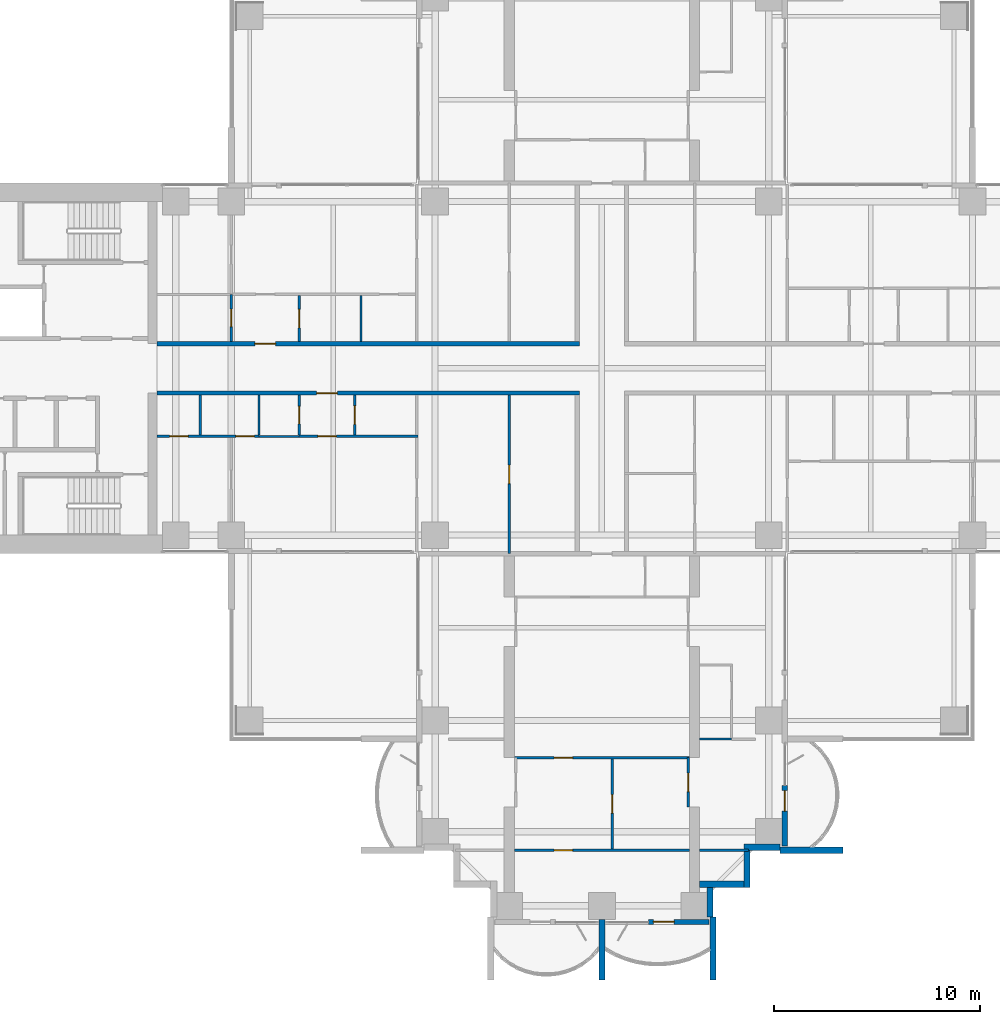
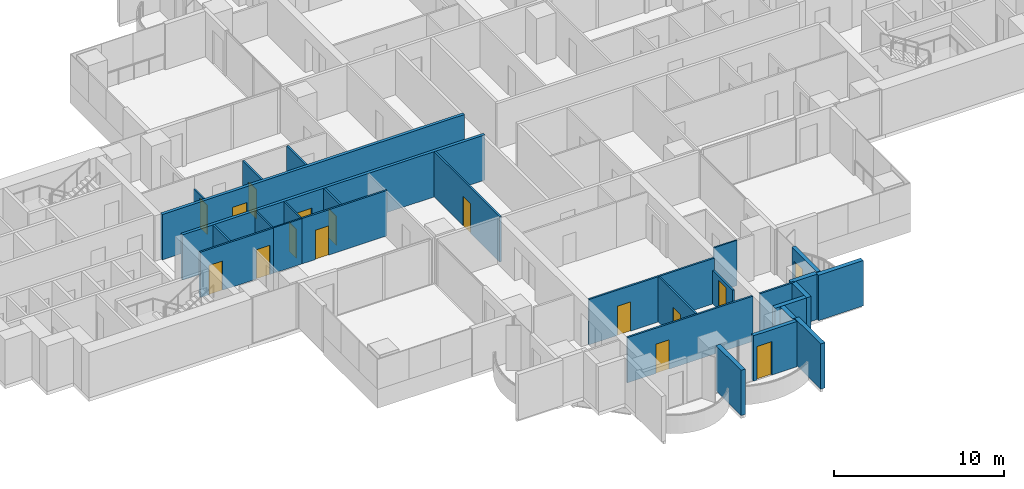
# One storey, part 11 of 20: 28 walls, 16 doors, 16 openings.
"""IFC4 building model written with IfcOpenShell, lengths in metres."""

from ifc_helpers import new_model, si_unit, direction, frame, frame_2d, origin, place, context, subcontext, project, spatial, rectangle, extrude, material, layer, layer_set, type_object, element, fill, save


model = new_model("IFC4")

# Units and contexts
model_context = context("Model", 3, precision=1e-05, world=origin(), true_north=direction((0.0, 1.0)))
body_context = subcontext(model_context, "Body", "Model", "MODEL_VIEW")
ifc_project = project(units=[si_unit("LENGTHUNIT", "METRE"), si_unit("AREAUNIT", "SQUARE_METRE"), si_unit("VOLUMEUNIT", "CUBIC_METRE"), si_unit("PLANEANGLEUNIT", "RADIAN"), si_unit("MASSUNIT", "GRAM", prefix="KILO")], contexts=[model_context])

# Site, building, storey
site_placement = place(None, origin())
site = spatial("IfcSite", under=ifc_project, at=site_placement, CompositionType="ELEMENT")
building_placement = place(site_placement, origin())
building = spatial("IfcBuilding", under=site, at=building_placement, Name="Perihelion Cross Residences", CompositionType="ELEMENT")
storey_placement = place(building_placement, frame((0.0, 0.0, 82.0)))
storey = spatial("IfcBuildingStorey", under=building, at=storey_placement, Name="L18", CompositionType="ELEMENT", Elevation=82.0)

# Wall, opening, door
ifc_material_1 = material(Name="Plasterboard partition")
ifc_layer_1 = layer(ifc_material_1, 0.199951171875)
ifc_layer_set_1 = layer_set([ifc_layer_1], Name="Apartment separation wall 200")
wall_type_1 = type_object("IfcWallType", Name="Apartment separation wall 200", PredefinedType="PARTITIONING", material=ifc_layer_set_1)
wall_1_placement = place(storey_placement, frame((-21.60009765625, 1.199951171875, 0.0), z_axis=(0.0, 0.0, 1.0), x_axis=(1.0, 0.0, 0.0)))
wall_1 = element("IfcWall", 1, at=wall_1_placement, inside=storey, type_object=wall_type_1, Name="Partition L18 W005", PredefinedType="PARTITIONING", context=body_context, shape_type="SweptSolid", body=[
    extrude(rectangle(XDim=20.5, YDim=0.199951171875, at=frame_2d((10.25, 0.0))), origin(), (0.0, 0.0, 1.0), 3.25),
])
opening_1_placement = place(wall_1_placement, frame((4.75, 0.0, 0.0)))
opening_1 = element("IfcOpeningElement", 2, at=opening_1_placement, cuts=wall_1, Name="Opening L18.A47", PredefinedType="OPENING", context=body_context, shape_type="SweptSolid", body=[
    extrude(rectangle(XDim=1.0, YDim=2.10009765625, at=frame_2d((0.5, 1.050048828125))), frame((0.0, 0.10986328125, 0.0), z_axis=(0.0, -1.0, 0.0), x_axis=(1.0, 0.0, 0.0)), (0.0, 0.0, 1.0), 0.219970703125),
])
ifc_material_2 = material(Name="Timber door leaf", Category="wood")
door_type_1 = type_object("IfcDoorType", Name="Flat entrance door 1000 x 2100", OperationType="SINGLE_SWING_LEFT", PredefinedType="DOOR", material=ifc_material_2)
door_1_placement = place(opening_1_placement, origin())
door_1 = element("IfcDoor", 3, at=door_1_placement, inside=storey, type_object=door_type_1, Name="Door L18.A47", OperationType="SINGLE_SWING_LEFT", OverallHeight=2.10009765625, OverallWidth=1.0, PredefinedType="DOOR", context=body_context, shape_type="SweptSolid", body=[
    extrude(rectangle(XDim=1.0, YDim=2.10009765625, at=frame_2d((0.5, 1.050048828125))), frame((0.0, 0.02490234375, 0.0), z_axis=(0.0, -1.0, 0.0), x_axis=(1.0, 0.0, 0.0)), (0.0, 0.0, 1.0), 0.050048828125),
])
fill(opening_1, door_1)

wall_2_placement = place(storey_placement, frame((-1.10009765625, -1.199951171875, 0.0), z_axis=(0.0, 0.0, 1.0), x_axis=(-1.0, 0.0, 0.0)))
wall_2 = element("IfcWall", 4, at=wall_2_placement, inside=storey, type_object=wall_type_1, Name="Partition L18 W007", PredefinedType="PARTITIONING", context=body_context, shape_type="SweptSolid", body=[
    extrude(rectangle(XDim=20.5, YDim=0.199951171875, at=frame_2d((10.25, 0.0))), origin(), (0.0, 0.0, 1.0), 3.25),
])
opening_2_placement = place(wall_2_placement, frame((11.75, 0.0, 0.0)))
opening_2 = element("IfcOpeningElement", 5, at=opening_2_placement, cuts=wall_2, Name="Opening L18.A48", PredefinedType="OPENING", context=body_context, shape_type="SweptSolid", body=[
    extrude(rectangle(XDim=1.0, YDim=2.10009765625, at=frame_2d((0.5, 1.050048828125))), frame((0.0, 0.10986328125, 0.0), z_axis=(0.0, -1.0, 0.0), x_axis=(1.0, 0.0, 0.0)), (0.0, 0.0, 1.0), 0.219970703125),
])
door_2_placement = place(opening_2_placement, origin())
door_2 = element("IfcDoor", 6, at=door_2_placement, inside=storey, type_object=door_type_1, Name="Door L18.A48", OperationType="SINGLE_SWING_RIGHT", OverallHeight=2.10009765625, OverallWidth=1.0, PredefinedType="DOOR", context=body_context, shape_type="SweptSolid", body=[
    extrude(rectangle(XDim=1.0, YDim=2.10009765625, at=frame_2d((0.5, 1.050048828125))), frame((0.0, 0.02490234375, 0.0), z_axis=(0.0, -1.0, 0.0), x_axis=(1.0, 0.0, 0.0)), (0.0, 0.0, 1.0), 0.050048828125),
])
fill(opening_2, door_2)

ifc_material_3 = material(Name="Concrete C30/37, bronze-clad", Category="concrete")
ifc_layer_2 = layer(ifc_material_3, 0.25)
ifc_layer_set_2 = layer_set([ifc_layer_2], Name="Bronze-clad pier wall 250")
wall_type_2 = type_object("IfcWallType", Name="Bronze-clad pier wall 250", PredefinedType="SOLIDWALL", material=ifc_layer_set_2)
wall_3_placement = place(storey_placement, frame((2.25, -26.875, 0.0), z_axis=(0.0, 0.0, 1.0), x_axis=(1.0, 0.0, 0.0)))
wall_3 = element("IfcWall", 7, at=wall_3_placement, inside=storey, type_object=wall_type_2, Name="Wall FW1 L18 south tip south bay 2 pier", PredefinedType="SOLIDWALL", context=body_context, shape_type="SweptSolid", body=[
    extrude(rectangle(XDim=2.949951171875, YDim=0.25, at=frame_2d((1.47509765625, 0.0))), origin(), (0.0, 0.0, 1.0), 3.25),
])
opening_3_placement = place(wall_3_placement, frame((0.25, 0.0, 0.0)))
opening_3 = element("IfcOpeningElement", 8, at=opening_3_placement, cuts=wall_3, Name="Opening L18.E13", PredefinedType="OPENING", context=body_context, shape_type="SweptSolid", body=[
    extrude(rectangle(XDim=1.0, YDim=2.39990234375, at=frame_2d((0.5, 1.199951171875))), frame((0.0, 0.135009765625, 0.0), z_axis=(0.0, -1.0, 0.0), x_axis=(1.0, 0.0, 0.0)), (0.0, 0.0, 1.0), 0.27001953125),
])
ifc_material_4 = material(Name="Bronze anodised aluminium, glazed", Category="aluminium")
door_type_2 = type_object("IfcDoorType", Name="Balcony door 1000 x 2400", OperationType="NOTDEFINED", PredefinedType="DOOR", material=ifc_material_4)
door_3_placement = place(opening_3_placement, origin())
door_3 = element("IfcDoor", 9, at=door_3_placement, inside=storey, type_object=door_type_2, Name="Door L18.E13 south tip south bay 2", OperationType="SINGLE_SWING_RIGHT", OverallHeight=2.39990234375, OverallWidth=1.0, PredefinedType="DOOR", context=body_context, shape_type="SweptSolid", body=[
    extrude(rectangle(XDim=1.0, YDim=2.39990234375, at=frame_2d((0.5, 1.199951171875))), frame((0.0, 0.02490234375, 0.0), z_axis=(0.0, -1.0, 0.0), x_axis=(1.0, 0.0, 0.0)), (0.0, 0.0, 1.0), 0.050048828125),
])
fill(opening_3, door_3)

wall_4_placement = place(storey_placement, frame((8.875, -23.199951171875, 0.0), z_axis=(0.0, 0.0, 1.0), x_axis=(0.0, 1.0, 0.0)))
wall_4 = element("IfcWall", 10, at=wall_4_placement, inside=storey, type_object=wall_type_2, Name="Wall FW1 L18 south side east bay 1 pier", PredefinedType="SOLIDWALL", context=body_context, shape_type="SweptSolid", body=[
    extrude(rectangle(XDim=2.949951171875, YDim=0.25, at=frame_2d((1.47509765625, 0.0))), origin(), (0.0, 0.0, 1.0), 3.25),
])
opening_4_placement = place(wall_4_placement, frame((1.699951171875, 0.0, 0.0)))
opening_4 = element("IfcOpeningElement", 11, at=opening_4_placement, cuts=wall_4, Name="Opening L18.E14", PredefinedType="OPENING", context=body_context, shape_type="SweptSolid", body=[
    extrude(rectangle(XDim=1.0, YDim=2.39990234375, at=frame_2d((0.5, 1.199951171875))), frame((0.0, 0.135009765625, 0.0), z_axis=(0.0, -1.0, 0.0), x_axis=(1.0, 0.0, 0.0)), (0.0, 0.0, 1.0), 0.27001953125),
])
door_4_placement = place(opening_4_placement, origin())
door_4 = element("IfcDoor", 12, at=door_4_placement, inside=storey, type_object=door_type_2, Name="Door L18.E14 south side east bay 1", OperationType="SINGLE_SWING_LEFT", OverallHeight=2.39990234375, OverallWidth=1.0, PredefinedType="DOOR", context=body_context, shape_type="SweptSolid", body=[
    extrude(rectangle(XDim=1.0, YDim=2.39990234375, at=frame_2d((0.5, 1.199951171875))), frame((0.0, 0.02490234375, 0.0), z_axis=(0.0, -1.0, 0.0), x_axis=(1.0, 0.0, 0.0)), (0.0, 0.0, 1.0), 0.050048828125),
])
fill(opening_4, door_4)

# Walls
ifc_material_5 = material(Name="Concrete C30/37, bronze-clad", Category="concrete")
ifc_layer_3 = layer(ifc_material_5, 0.300048828125)
ifc_layer_set_3 = layer_set([ifc_layer_3], Name="Bronze-clad serration wall 300")
wall_type_3 = type_object("IfcWallType", Name="Bronze-clad serration wall 300", PredefinedType="SOLIDWALL", material=ifc_layer_set_3)
wall_5_placement = place(storey_placement, frame((5.25, -26.64990234375, 0.0), z_axis=(0.0, 0.0, 1.0), x_axis=(0.0, 1.0, 0.0)))
element("IfcWall", 13, at=wall_5_placement, inside=storey, type_object=wall_type_3, Name="Wall SR1 L18 south corner south-east 1", PredefinedType="SOLIDWALL", context=body_context, shape_type="SweptSolid", body=[
    extrude(rectangle(XDim=1.449951171875, YDim=0.300048828125, at=frame_2d((0.72509765625, 0.0))), origin(), (0.0, 0.0, 1.0), 3.25),
])
wall_6_placement = place(storey_placement, frame((4.75, -25.050048828125, 0.0), z_axis=(0.0, 0.0, 1.0), x_axis=(1.0, 0.0, 0.0)))
element("IfcWall", 14, at=wall_6_placement, inside=storey, type_object=wall_type_3, Name="Wall SR1 L18 south corner south-east 2", PredefinedType="SOLIDWALL", context=body_context, shape_type="SweptSolid", body=[
    extrude(rectangle(XDim=2.14990234375, YDim=0.300048828125, at=frame_2d((1.074951171875, 0.0))), origin(), (0.0, 0.0, 1.0), 3.25),
])
wall_7_placement = place(storey_placement, frame((7.050048828125, -25.199951171875, 0.0), z_axis=(0.0, 0.0, 1.0), x_axis=(0.0, 1.0, 0.0)))
element("IfcWall", 15, at=wall_7_placement, inside=storey, type_object=wall_type_3, Name="Wall SR1 L18 south corner south-east 3", PredefinedType="SOLIDWALL", context=body_context, shape_type="SweptSolid", body=[
    extrude(rectangle(XDim=1.800048828125, YDim=0.300048828125, at=frame_2d((0.89990234375, 0.0))), origin(), (0.0, 0.0, 1.0), 3.25),
])
wall_8_placement = place(storey_placement, frame((6.89990234375, -23.25, 0.0), z_axis=(0.0, 0.0, 1.0), x_axis=(1.0, 0.0, 0.0)))
element("IfcWall", 16, at=wall_8_placement, inside=storey, type_object=wall_type_3, Name="Wall SR1 L18 south corner south-east 4", PredefinedType="SOLIDWALL", context=body_context, shape_type="SweptSolid", body=[
    extrude(rectangle(XDim=1.75, YDim=0.300048828125, at=frame_2d((0.875, 0.0))), origin(), (0.0, 0.0, 1.0), 3.25),
])

# Wall, opening, door
ifc_material_6 = material(Name="Plasterboard partition")
ifc_layer_4 = layer(ifc_material_6, 0.1201171875)
ifc_layer_set_4 = layer_set([ifc_layer_4], Name="Infill panel 120")
wall_type_4 = type_object("IfcWallType", Name="Infill panel 120", PredefinedType="PARTITIONING", material=ifc_layer_set_4)
wall_9_placement = place(storey_placement, frame((4.18994140625, -18.89990234375, 0.0), z_axis=(0.0, 0.0, 1.0), x_axis=(0.0, -1.0, 0.0)))
wall_9 = element("IfcWall", 17, at=wall_9_placement, inside=storey, type_object=wall_type_4, Name="Partition L18 WI06", PredefinedType="PARTITIONING", context=body_context, shape_type="SweptSolid", body=[
    extrude(rectangle(XDim=2.400146484375, YDim=0.1201171875, at=frame_2d((1.2001953125, 0.0))), origin(), (0.0, 0.0, 1.0), 2.39990234375),
])
opening_5_placement = place(wall_9_placement, frame((0.75, 0.0, 0.0)))
opening_5 = element("IfcOpeningElement", 18, at=opening_5_placement, cuts=wall_9, Name="Opening L18.A54", PredefinedType="OPENING", context=body_context, shape_type="SweptSolid", body=[
    extrude(rectangle(XDim=0.89990234375, YDim=2.10009765625, at=frame_2d((0.449951171875, 1.050048828125))), frame((0.0, 0.070068359375, 0.0), z_axis=(0.0, -1.0, 0.0), x_axis=(1.0, 0.0, 0.0)), (0.0, 0.0, 1.0), 0.14013671875),
])
ifc_material_7 = material(Name="Timber door leaf", Category="wood")
door_type_3 = type_object("IfcDoorType", Name="Interior room door 900 x 2100", OperationType="SINGLE_SWING_LEFT", PredefinedType="DOOR", material=ifc_material_7)
door_5_placement = place(opening_5_placement, origin())
door_5 = element("IfcDoor", 19, at=door_5_placement, inside=storey, type_object=door_type_3, Name="Door L18.A54", OperationType="SINGLE_SWING_LEFT", OverallHeight=2.10009765625, OverallWidth=0.89990234375, PredefinedType="DOOR", context=body_context, shape_type="SweptSolid", body=[
    extrude(rectangle(XDim=0.89990234375, YDim=2.10009765625, at=frame_2d((0.449951171875, 1.050048828125))), frame((0.0, 0.02490234375, 0.0), z_axis=(0.0, -1.0, 0.0), x_axis=(1.0, 0.0, 0.0)), (0.0, 0.0, 1.0), 0.050048828125),
])
fill(opening_5, door_5)

# Wall
ifc_material_8 = material(Name="Plasterboard partition")
ifc_layer_5 = layer(ifc_material_8, 0.1201171875)
ifc_layer_set_5 = layer_set([ifc_layer_5], Name="Partition wall 120")
wall_type_5 = type_object("IfcWallType", Name="Partition wall 120", PredefinedType="PARTITIONING", material=ifc_layer_set_5)
wall_10_placement = place(storey_placement, frame((-11.699951171875, 1.300048828125, 0.0), z_axis=(0.0, 0.0, 1.0), x_axis=(0.0, 1.0, 0.0)))
element("IfcWall", 20, at=wall_10_placement, inside=storey, type_object=wall_type_5, Name="Partition L18 W030", PredefinedType="PARTITIONING", context=body_context, shape_type="SweptSolid", body=[
    extrude(rectangle(XDim=2.239990234375, YDim=0.1201171875, at=frame_2d((1.1201171875, 0.0))), origin(), (0.0, 0.0, 1.0), 3.25),
])

# Wall, opening, door
wall_11_placement = place(storey_placement, frame((-14.699951171875, 1.300048828125, 0.0), z_axis=(0.0, 0.0, 1.0), x_axis=(0.0, 1.0, 0.0)))
wall_11 = element("IfcWall", 21, at=wall_11_placement, inside=storey, type_object=wall_type_5, Name="Partition L18 W033", PredefinedType="PARTITIONING", context=body_context, shape_type="SweptSolid", body=[
    extrude(rectangle(XDim=2.239990234375, YDim=0.1201171875, at=frame_2d((1.1201171875, 0.0))), origin(), (0.0, 0.0, 1.0), 3.25),
])
opening_6_placement = place(wall_11_placement, frame((0.669921875, 0.0, 0.0)))
opening_6 = element("IfcOpeningElement", 22, at=opening_6_placement, cuts=wall_11, Name="Opening L18.A17", PredefinedType="OPENING", context=body_context, shape_type="SweptSolid", body=[
    extrude(rectangle(XDim=0.89990234375, YDim=2.10009765625, at=frame_2d((0.449951171875, 1.050048828125))), frame((0.0, 0.070068359375, 0.0), z_axis=(0.0, -1.0, 0.0), x_axis=(1.0, 0.0, 0.0)), (0.0, 0.0, 1.0), 0.14013671875),
])
door_6_placement = place(opening_6_placement, origin())
door_6 = element("IfcDoor", 23, at=door_6_placement, inside=storey, type_object=door_type_3, Name="Door L18.A17", OperationType="SINGLE_SWING_LEFT", OverallHeight=2.10009765625, OverallWidth=0.89990234375, PredefinedType="DOOR", context=body_context, shape_type="SweptSolid", body=[
    extrude(rectangle(XDim=0.89990234375, YDim=2.10009765625, at=frame_2d((0.449951171875, 1.050048828125))), frame((0.0, 0.02490234375, 0.0), z_axis=(0.0, -1.0, 0.0), x_axis=(1.0, 0.0, 0.0)), (0.0, 0.0, 1.0), 0.050048828125),
])
fill(opening_6, door_6)

wall_12_placement = place(storey_placement, frame((-12.0, -3.239990234375, 0.0), z_axis=(0.0, 0.0, 1.0), x_axis=(0.0, 1.0, 0.0)))
wall_12 = element("IfcWall", 24, at=wall_12_placement, inside=storey, type_object=wall_type_5, Name="Partition L18 W038", PredefinedType="PARTITIONING", context=body_context, shape_type="SweptSolid", body=[
    extrude(rectangle(XDim=1.93994140625, YDim=0.1201171875, at=frame_2d((0.969970703125, 0.0))), origin(), (0.0, 0.0, 1.0), 3.25),
])
opening_7_placement = place(wall_12_placement, frame((0.52001953125, 0.0, 0.0)))
opening_7 = element("IfcOpeningElement", 25, at=opening_7_placement, cuts=wall_12, Name="Opening L18.A24", PredefinedType="OPENING", context=body_context, shape_type="SweptSolid", body=[
    extrude(rectangle(XDim=0.89990234375, YDim=2.10009765625, at=frame_2d((0.449951171875, 1.050048828125))), frame((0.0, 0.070068359375, 0.0), z_axis=(0.0, -1.0, 0.0), x_axis=(1.0, 0.0, 0.0)), (0.0, 0.0, 1.0), 0.14013671875),
])
door_7_placement = place(opening_7_placement, origin())
door_7 = element("IfcDoor", 26, at=door_7_placement, inside=storey, type_object=door_type_3, Name="Door L18.A24", OperationType="SINGLE_SWING_RIGHT", OverallHeight=2.10009765625, OverallWidth=0.89990234375, PredefinedType="DOOR", context=body_context, shape_type="SweptSolid", body=[
    extrude(rectangle(XDim=0.89990234375, YDim=2.10009765625, at=frame_2d((0.449951171875, 1.050048828125))), frame((0.0, 0.02490234375, 0.0), z_axis=(0.0, -1.0, 0.0), x_axis=(1.0, 0.0, 0.0)), (0.0, 0.0, 1.0), 0.050048828125),
])
fill(opening_7, door_7)

wall_13_placement = place(storey_placement, frame((-8.93994140625, -3.300048828125, 0.0), z_axis=(0.0, 0.0, 1.0), x_axis=(-1.0, 0.0, 0.0)))
wall_13 = element("IfcWall", 27, at=wall_13_placement, inside=storey, type_object=wall_type_5, Name="Partition L18 W039", PredefinedType="PARTITIONING", context=body_context, shape_type="SweptSolid", body=[
    extrude(rectangle(XDim=5.760009765625, YDim=0.1201171875, at=frame_2d((2.8798828125, 0.0))), origin(), (0.0, 0.0, 1.0), 3.25),
])
opening_8_placement = place(wall_13_placement, frame((3.9599609375, 0.0, 0.0)))
opening_8 = element("IfcOpeningElement", 28, at=opening_8_placement, cuts=wall_13, Name="Opening L18.A26", PredefinedType="OPENING", context=body_context, shape_type="SweptSolid", body=[
    extrude(rectangle(XDim=0.89990234375, YDim=2.10009765625, at=frame_2d((0.449951171875, 1.050048828125))), frame((0.0, 0.070068359375, 0.0), z_axis=(0.0, -1.0, 0.0), x_axis=(1.0, 0.0, 0.0)), (0.0, 0.0, 1.0), 0.14013671875),
])
door_8_placement = place(opening_8_placement, origin())
door_8 = element("IfcDoor", 29, at=door_8_placement, inside=storey, type_object=door_type_3, Name="Door L18.A26", OperationType="SINGLE_SWING_RIGHT", OverallHeight=2.10009765625, OverallWidth=0.89990234375, PredefinedType="DOOR", context=body_context, shape_type="SweptSolid", body=[
    extrude(rectangle(XDim=0.89990234375, YDim=2.10009765625, at=frame_2d((0.449951171875, 1.050048828125))), frame((0.0, 0.02490234375, 0.0), z_axis=(0.0, -1.0, 0.0), x_axis=(1.0, 0.0, 0.0)), (0.0, 0.0, 1.0), 0.050048828125),
])
fill(opening_8, door_8)

# Wall
wall_14_placement = place(storey_placement, frame((-19.5, -3.239990234375, 0.0), z_axis=(0.0, 0.0, 1.0), x_axis=(0.0, 1.0, 0.0)))
element("IfcWall", 30, at=wall_14_placement, inside=storey, type_object=wall_type_5, Name="Partition L18 W044", PredefinedType="PARTITIONING", context=body_context, shape_type="SweptSolid", body=[
    extrude(rectangle(XDim=1.93994140625, YDim=0.1201171875, at=frame_2d((0.969970703125, 0.0))), origin(), (0.0, 0.0, 1.0), 3.25),
])

# Wall, openings, doors
wall_15_placement = place(storey_placement, frame((-16.64990234375, -3.300048828125, 0.0), z_axis=(0.0, 0.0, 1.0), x_axis=(-1.0, 0.0, 0.0)))
wall_15 = element("IfcWall", 31, at=wall_15_placement, inside=storey, type_object=wall_type_5, Name="Partition L18 W045", PredefinedType="PARTITIONING", context=body_context, shape_type="SweptSolid", body=[
    extrude(rectangle(XDim=4.9501953125, YDim=0.1201171875, at=frame_2d((2.47509765625, 0.0))), origin(), (0.0, 0.0, 1.0), 3.25),
])
opening_9_placement = place(wall_15_placement, frame((0.22509765625, 0.0, 0.0)))
opening_9 = element("IfcOpeningElement", 32, at=opening_9_placement, cuts=wall_15, Name="Opening L18.A25", PredefinedType="OPENING", context=body_context, shape_type="SweptSolid", body=[
    extrude(rectangle(XDim=0.89990234375, YDim=2.10009765625, at=frame_2d((0.449951171875, 1.050048828125))), frame((0.0, 0.070068359375, 0.0), z_axis=(0.0, -1.0, 0.0), x_axis=(1.0, 0.0, 0.0)), (0.0, 0.0, 1.0), 0.14013671875),
])
opening_10_placement = place(wall_15_placement, frame((3.449951171875, 0.0, 0.0)))
opening_10 = element("IfcOpeningElement", 33, at=opening_10_placement, cuts=wall_15, Name="Opening L18.A28", PredefinedType="OPENING", context=body_context, shape_type="SweptSolid", body=[
    extrude(rectangle(XDim=0.89990234375, YDim=2.10009765625, at=frame_2d((0.449951171875, 1.050048828125))), frame((0.0, 0.070068359375, 0.0), z_axis=(0.0, -1.0, 0.0), x_axis=(1.0, 0.0, 0.0)), (0.0, 0.0, 1.0), 0.14013671875),
])
door_9_placement = place(opening_9_placement, origin())
door_9 = element("IfcDoor", 34, at=door_9_placement, inside=storey, type_object=door_type_3, Name="Door L18.A25", OperationType="SINGLE_SWING_RIGHT", OverallHeight=2.10009765625, OverallWidth=0.89990234375, PredefinedType="DOOR", context=body_context, shape_type="SweptSolid", body=[
    extrude(rectangle(XDim=0.89990234375, YDim=2.10009765625, at=frame_2d((0.449951171875, 1.050048828125))), frame((0.0, 0.02490234375, 0.0), z_axis=(0.0, -1.0, 0.0), x_axis=(1.0, 0.0, 0.0)), (0.0, 0.0, 1.0), 0.050048828125),
])
fill(opening_9, door_9)
door_10_placement = place(opening_10_placement, origin())
door_10 = element("IfcDoor", 35, at=door_10_placement, inside=storey, type_object=door_type_3, Name="Door L18.A28", OperationType="SINGLE_SWING_LEFT", OverallHeight=2.10009765625, OverallWidth=0.89990234375, PredefinedType="DOOR", context=body_context, shape_type="SweptSolid", body=[
    extrude(rectangle(XDim=0.89990234375, YDim=2.10009765625, at=frame_2d((0.449951171875, 1.050048828125))), frame((0.0, 0.02490234375, 0.0), z_axis=(0.0, -1.0, 0.0), x_axis=(1.0, 0.0, 0.0)), (0.0, 0.0, 1.0), 0.050048828125),
])
fill(opening_10, door_10)

# Wall, opening, door
wall_16_placement = place(storey_placement, frame((-4.5, -1.300048828125, 0.0), z_axis=(0.0, 0.0, 1.0), x_axis=(0.0, -1.0, 0.0)))
wall_16 = element("IfcWall", 36, at=wall_16_placement, inside=storey, type_object=wall_type_5, Name="Partition L18 W047", PredefinedType="PARTITIONING", context=body_context, shape_type="SweptSolid", body=[
    extrude(rectangle(XDim=7.699951171875, YDim=0.1201171875, at=frame_2d((3.85009765625, 0.0))), origin(), (0.0, 0.0, 1.0), 3.25),
])
opening_11_placement = place(wall_16_placement, frame((3.39990234375, 0.0, 0.0)))
opening_11 = element("IfcOpeningElement", 37, at=opening_11_placement, cuts=wall_16, Name="Opening L18.A23", PredefinedType="OPENING", context=body_context, shape_type="SweptSolid", body=[
    extrude(rectangle(XDim=0.89990234375, YDim=2.10009765625, at=frame_2d((0.449951171875, 1.050048828125))), frame((0.0, 0.070068359375, 0.0), z_axis=(0.0, -1.0, 0.0), x_axis=(1.0, 0.0, 0.0)), (0.0, 0.0, 1.0), 0.14013671875),
])
door_11_placement = place(opening_11_placement, origin())
door_11 = element("IfcDoor", 38, at=door_11_placement, inside=storey, type_object=door_type_3, Name="Door L18.A23", OperationType="SINGLE_SWING_RIGHT", OverallHeight=2.10009765625, OverallWidth=0.89990234375, PredefinedType="DOOR", context=body_context, shape_type="SweptSolid", body=[
    extrude(rectangle(XDim=0.89990234375, YDim=2.10009765625, at=frame_2d((0.449951171875, 1.050048828125))), frame((0.0, 0.02490234375, 0.0), z_axis=(0.0, -1.0, 0.0), x_axis=(1.0, 0.0, 0.0)), (0.0, 0.0, 1.0), 0.050048828125),
])
fill(opening_11, door_11)

wall_17_placement = place(storey_placement, frame((4.25, -18.89990234375, 0.0), z_axis=(0.0, 0.0, 1.0), x_axis=(-1.0, 0.0, 0.0)))
wall_17 = element("IfcWall", 39, at=wall_17_placement, inside=storey, type_object=wall_type_5, Name="Partition L18 W064", PredefinedType="PARTITIONING", context=body_context, shape_type="SweptSolid", body=[
    extrude(rectangle(XDim=8.5, YDim=0.1201171875, at=frame_2d((4.25, 0.0))), origin(), (0.0, 0.0, 1.0), 3.25),
])
opening_12_placement = place(wall_17_placement, frame((5.675048828125, 0.0, 0.0)))
opening_12 = element("IfcOpeningElement", 40, at=opening_12_placement, cuts=wall_17, Name="Opening L18.A41", PredefinedType="OPENING", context=body_context, shape_type="SweptSolid", body=[
    extrude(rectangle(XDim=0.89990234375, YDim=2.10009765625, at=frame_2d((0.449951171875, 1.050048828125))), frame((0.0, 0.070068359375, 0.0), z_axis=(0.0, -1.0, 0.0), x_axis=(1.0, 0.0, 0.0)), (0.0, 0.0, 1.0), 0.14013671875),
])
door_12_placement = place(opening_12_placement, origin())
door_12 = element("IfcDoor", 41, at=door_12_placement, inside=storey, type_object=door_type_3, Name="Door L18.A41", OperationType="SINGLE_SWING_RIGHT", OverallHeight=2.10009765625, OverallWidth=0.89990234375, PredefinedType="DOOR", context=body_context, shape_type="SweptSolid", body=[
    extrude(rectangle(XDim=0.89990234375, YDim=2.10009765625, at=frame_2d((0.449951171875, 1.050048828125))), frame((0.0, 0.02490234375, 0.0), z_axis=(0.0, -1.0, 0.0), x_axis=(1.0, 0.0, 0.0)), (0.0, 0.0, 1.0), 0.050048828125),
])
fill(opening_12, door_12)

wall_18_placement = place(storey_placement, frame((0.5, -18.9599609375, 0.0), z_axis=(0.0, 0.0, 1.0), x_axis=(0.0, -1.0, 0.0)))
wall_18 = element("IfcWall", 42, at=wall_18_placement, inside=storey, type_object=wall_type_5, Name="Partition L18 W065", PredefinedType="PARTITIONING", context=body_context, shape_type="SweptSolid", body=[
    extrude(rectangle(XDim=4.380126953125, YDim=0.1201171875, at=frame_2d((2.18994140625, 0.0))), origin(), (0.0, 0.0, 1.0), 3.25),
])
opening_13_placement = place(wall_18_placement, frame((1.739990234375, 0.0, 0.0)))
opening_13 = element("IfcOpeningElement", 43, at=opening_13_placement, cuts=wall_18, Name="Opening L18.A42", PredefinedType="OPENING", context=body_context, shape_type="SweptSolid", body=[
    extrude(rectangle(XDim=0.89990234375, YDim=2.10009765625, at=frame_2d((0.449951171875, 1.050048828125))), frame((0.0, 0.070068359375, 0.0), z_axis=(0.0, -1.0, 0.0), x_axis=(1.0, 0.0, 0.0)), (0.0, 0.0, 1.0), 0.14013671875),
])
door_13_placement = place(opening_13_placement, origin())
door_13 = element("IfcDoor", 44, at=door_13_placement, inside=storey, type_object=door_type_3, Name="Door L18.A42", OperationType="SINGLE_SWING_RIGHT", OverallHeight=2.10009765625, OverallWidth=0.89990234375, PredefinedType="DOOR", context=body_context, shape_type="SweptSolid", body=[
    extrude(rectangle(XDim=0.89990234375, YDim=2.10009765625, at=frame_2d((0.449951171875, 1.050048828125))), frame((0.0, 0.02490234375, 0.0), z_axis=(0.0, -1.0, 0.0), x_axis=(1.0, 0.0, 0.0)), (0.0, 0.0, 1.0), 0.050048828125),
])
fill(opening_13, door_13)

wall_19_placement = place(storey_placement, frame((4.25, -23.39990234375, 0.0), z_axis=(0.0, 0.0, 1.0), x_axis=(-1.0, 0.0, 0.0)))
wall_19 = element("IfcWall", 45, at=wall_19_placement, inside=storey, type_object=wall_type_5, Name="Partition L18 W066", PredefinedType="PARTITIONING", context=body_context, shape_type="SweptSolid", body=[
    extrude(rectangle(XDim=8.5, YDim=0.1201171875, at=frame_2d((4.25, 0.0))), origin(), (0.0, 0.0, 1.0), 3.25),
])
opening_14_placement = place(wall_19_placement, frame((5.675048828125, 0.0, 0.0)))
opening_14 = element("IfcOpeningElement", 46, at=opening_14_placement, cuts=wall_19, Name="Opening L18.A43", PredefinedType="OPENING", context=body_context, shape_type="SweptSolid", body=[
    extrude(rectangle(XDim=0.89990234375, YDim=2.10009765625, at=frame_2d((0.449951171875, 1.050048828125))), frame((0.0, 0.070068359375, 0.0), z_axis=(0.0, -1.0, 0.0), x_axis=(1.0, 0.0, 0.0)), (0.0, 0.0, 1.0), 0.14013671875),
])
door_14_placement = place(opening_14_placement, origin())
door_14 = element("IfcDoor", 47, at=door_14_placement, inside=storey, type_object=door_type_3, Name="Door L18.A43", OperationType="SINGLE_SWING_LEFT", OverallHeight=2.10009765625, OverallWidth=0.89990234375, PredefinedType="DOOR", context=body_context, shape_type="SweptSolid", body=[
    extrude(rectangle(XDim=0.89990234375, YDim=2.10009765625, at=frame_2d((0.449951171875, 1.050048828125))), frame((0.0, 0.02490234375, 0.0), z_axis=(0.0, -1.0, 0.0), x_axis=(1.0, 0.0, 0.0)), (0.0, 0.0, 1.0), 0.050048828125),
])
fill(opening_14, door_14)

# Walls
wall_20_placement = place(storey_placement, frame((7.1201171875, -23.39990234375, 0.0), z_axis=(0.0, 0.0, 1.0), x_axis=(-1.0, 0.0, 0.0)))
element("IfcWall", 48, at=wall_20_placement, inside=storey, type_object=wall_type_5, Name="Partition L18 W071", PredefinedType="PARTITIONING", context=body_context, shape_type="SweptSolid", body=[
    extrude(rectangle(XDim=2.3701171875, YDim=0.1201171875, at=frame_2d((1.18505859375, 0.0))), origin(), (0.0, 0.0, 1.0), 3.25),
])
ifc_material_9 = material(Name="Precast concrete C50/60", Category="concrete")
ifc_layer_6 = layer(ifc_material_9, 0.300048828125)
ifc_layer_set_6 = layer_set([ifc_layer_6], Name="Precast concrete C50/60 blade wall 300")
wall_type_6 = type_object("IfcWallType", Name="Precast concrete C50/60 blade wall 300", PredefinedType="SOLIDWALL", material=ifc_layer_set_6)
wall_21_placement = place(storey_placement, frame((0.0, -26.75, 0.0), z_axis=(0.0, 0.0, 1.0), x_axis=(0.0, -1.0, 0.0)))
element("IfcWall", 49, at=wall_21_placement, inside=storey, type_object=wall_type_6, Name="Wall BL1 L18 no. 9", PredefinedType="SOLIDWALL", context=body_context, shape_type="SweptSolid", body=[
    extrude(rectangle(XDim=2.949951171875, YDim=0.300048828125, at=frame_2d((1.47509765625, 0.0))), origin(), (0.0, 0.0, 1.0), 3.25),
])
for number, where, z_axis, x_axis, name in (
    (50, (5.39990234375, -26.64990234375, 0.0), (0.0, 0.0, 1.0), (0.0, -1.0, 0.0), "Wall BL1 L18 no. 13"),
    (51, (8.64990234375, -23.39990234375, 0.0), (0.0, 0.0, 1.0), (1.0, 0.0, 0.0), "Wall BL1 L18 no. 16"),
):
    element("IfcWall", number, at=place(storey_placement, frame(where, z_axis=z_axis, x_axis=x_axis)), inside=storey, type_object=wall_type_6, Name=name, PredefinedType="SOLIDWALL", context=body_context, shape_type="SweptSolid", body=[
        extrude(rectangle(XDim=3.050048828125, YDim=0.300048828125, at=frame_2d((1.52490234375, 0.0))), origin(), (0.0, 0.0, 1.0), 3.25),
    ])

# Wall, opening, door
ifc_material_10 = material(Name="Plasterboard partition")
ifc_layer_7 = layer(ifc_material_10, 0.10009765625)
ifc_layer_set_7 = layer_set([ifc_layer_7], Name="Wet room wall 100")
wall_type_7 = type_object("IfcWallType", Name="Wet room wall 100", PredefinedType="PARTITIONING", material=ifc_layer_set_7)
wall_22_placement = place(storey_placement, frame((-18.0, 1.300048828125, 0.0), z_axis=(0.0, 0.0, 1.0), x_axis=(0.0, 1.0, 0.0)))
wall_22 = element("IfcWall", 52, at=wall_22_placement, inside=storey, type_object=wall_type_7, Name="Partition L18 W034", PredefinedType="PARTITIONING", context=body_context, shape_type="SweptSolid", body=[
    extrude(rectangle(XDim=2.300048828125, YDim=0.10009765625, at=frame_2d((1.14990234375, 0.0))), origin(), (0.0, 0.0, 1.0), 2.345947265625),
])
opening_15_placement = place(wall_22_placement, frame((0.72509765625, 0.0, 0.0)))
opening_15 = element("IfcOpeningElement", 53, at=opening_15_placement, cuts=wall_22, Name="Opening L18.A16", PredefinedType="OPENING", context=body_context, shape_type="SweptSolid", body=[
    extrude(rectangle(XDim=0.85009765625, YDim=2.10009765625, at=frame_2d((0.425048828125, 1.050048828125))), frame((0.0, 0.06005859375, 0.0), z_axis=(0.0, -1.0, 0.0), x_axis=(1.0, 0.0, 0.0)), (0.0, 0.0, 1.0), 0.1201171875),
])
ifc_material_11 = material(Name="Timber door leaf", Category="wood")
door_type_4 = type_object("IfcDoorType", Name="Interior bathroom door 850 x 2100", OperationType="SINGLE_SWING_LEFT", PredefinedType="DOOR", material=ifc_material_11)
door_15_placement = place(opening_15_placement, origin())
door_15 = element("IfcDoor", 54, at=door_15_placement, inside=storey, type_object=door_type_4, Name="Door L18.A16", OperationType="SINGLE_SWING_LEFT", OverallHeight=2.10009765625, OverallWidth=0.85009765625, PredefinedType="DOOR", context=body_context, shape_type="SweptSolid", body=[
    extrude(rectangle(XDim=0.85009765625, YDim=2.10009765625, at=frame_2d((0.425048828125, 1.050048828125))), frame((0.0, 0.02490234375, 0.0), z_axis=(0.0, -1.0, 0.0), x_axis=(1.0, 0.0, 0.0)), (0.0, 0.0, 1.0), 0.050048828125),
])
fill(opening_15, door_15)

wall_23_placement = place(storey_placement, frame((-14.699951171875, -3.239990234375, 0.0), z_axis=(0.0, 0.0, 1.0), x_axis=(0.0, 1.0, 0.0)))
wall_23 = element("IfcWall", 55, at=wall_23_placement, inside=storey, type_object=wall_type_7, Name="Partition L18 W041", PredefinedType="PARTITIONING", context=body_context, shape_type="SweptSolid", body=[
    extrude(rectangle(XDim=1.93994140625, YDim=0.10009765625, at=frame_2d((0.969970703125, 0.0))), origin(), (0.0, 0.0, 1.0), 3.25),
])
opening_16_placement = place(wall_23_placement, frame((0.544921875, 0.0, 0.0)))
opening_16 = element("IfcOpeningElement", 56, at=opening_16_placement, cuts=wall_23, Name="Opening L18.A29", PredefinedType="OPENING", context=body_context, shape_type="SweptSolid", body=[
    extrude(rectangle(XDim=0.85009765625, YDim=2.10009765625, at=frame_2d((0.425048828125, 1.050048828125))), frame((0.0, 0.06005859375, 0.0), z_axis=(0.0, -1.0, 0.0), x_axis=(1.0, 0.0, 0.0)), (0.0, 0.0, 1.0), 0.1201171875),
])
door_16_placement = place(opening_16_placement, origin())
door_16 = element("IfcDoor", 57, at=door_16_placement, inside=storey, type_object=door_type_4, Name="Door L18.A29", OperationType="SINGLE_SWING_RIGHT", OverallHeight=2.10009765625, OverallWidth=0.85009765625, PredefinedType="DOOR", context=body_context, shape_type="SweptSolid", body=[
    extrude(rectangle(XDim=0.85009765625, YDim=2.10009765625, at=frame_2d((0.425048828125, 1.050048828125))), frame((0.0, 0.02490234375, 0.0), z_axis=(0.0, -1.0, 0.0), x_axis=(1.0, 0.0, 0.0)), (0.0, 0.0, 1.0), 0.050048828125),
])
fill(opening_16, door_16)

# Walls
wall_24_placement = place(storey_placement, frame((-16.64990234375, -3.239990234375, 0.0), z_axis=(0.0, 0.0, 1.0), x_axis=(0.0, 1.0, 0.0)))
element("IfcWall", 58, at=wall_24_placement, inside=storey, type_object=wall_type_7, Name="Partition L18 W042", PredefinedType="PARTITIONING", context=body_context, shape_type="SweptSolid", body=[
    extrude(rectangle(XDim=1.93994140625, YDim=0.10009765625, at=frame_2d((0.969970703125, 0.0))), origin(), (0.0, 0.0, 1.0), 3.25),
])
wall_25_placement = place(storey_placement, frame((-14.699951171875, -3.300048828125, 0.0), z_axis=(0.0, 0.0, 1.0), x_axis=(-1.0, 0.0, 0.0)))
element("IfcWall", 59, at=wall_25_placement, inside=storey, type_object=wall_type_7, Name="Partition L18 W043", PredefinedType="PARTITIONING", context=body_context, shape_type="SweptSolid", body=[
    extrude(rectangle(XDim=1.949951171875, YDim=0.10009765625, at=frame_2d((0.97509765625, 0.0))), origin(), (0.0, 0.0, 1.0), 3.25),
])
wall_26_placement = place(storey_placement, frame((6.300048828125, -18.0, 0.0), z_axis=(0.0, 0.0, 1.0), x_axis=(-1.0, 0.0, 0.0)))
element("IfcWall", 60, at=wall_26_placement, inside=storey, type_object=wall_type_7, Name="Partition L18 W070", PredefinedType="PARTITIONING", context=body_context, shape_type="SweptSolid", body=[
    extrude(rectangle(XDim=1.550048828125, YDim=0.10009765625, at=frame_2d((0.77490234375, 0.0))), origin(), (0.0, 0.0, 1.0), 3.25),
])

save(model, "model.ifc")
